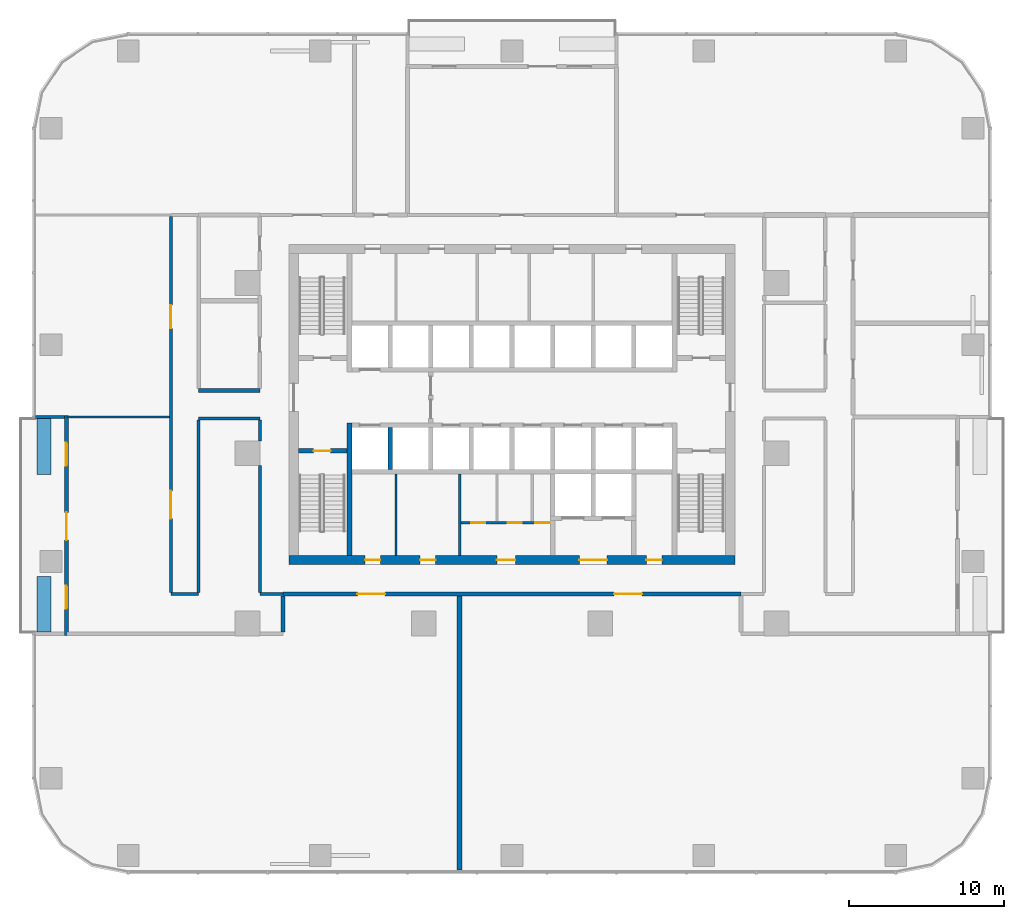
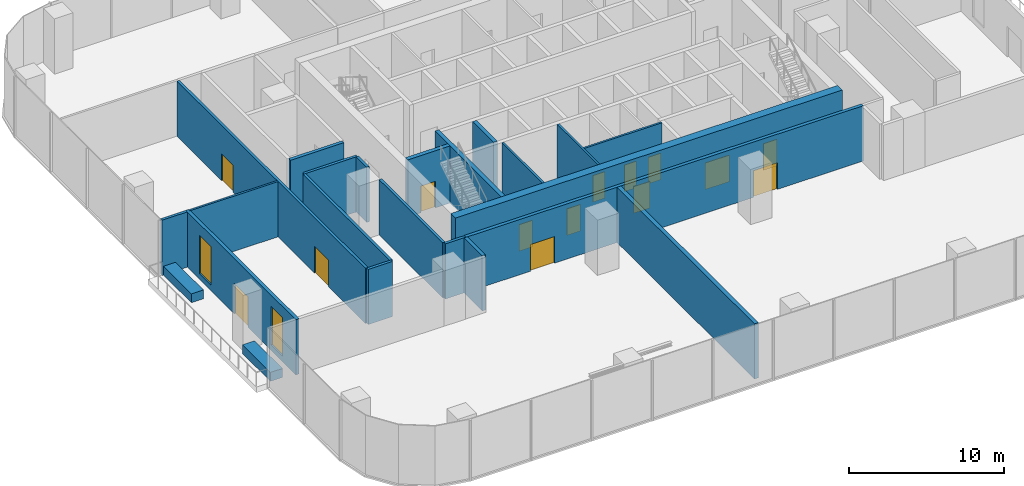
# One storey, part 7 of 14: 23 walls, 14 doors, 2 windows, 16 openings.
"""IFC4 building model written with IfcOpenShell, lengths in metres."""

from ifc_helpers import new_model, si_unit, direction, frame, frame_2d, origin, place, context, subcontext, project, spatial, rectangle, extrude, material, layer, layer_set, type_object, element, fill, save


model = new_model("IFC4")

# Units and contexts
model_context = context("Model", 3, precision=1e-05, world=origin(), true_north=direction((0.0, 1.0)))
body_context = subcontext(model_context, "Body", "Model", "MODEL_VIEW")
ifc_project = project(units=[si_unit("LENGTHUNIT", "METRE"), si_unit("AREAUNIT", "SQUARE_METRE"), si_unit("VOLUMEUNIT", "CUBIC_METRE"), si_unit("PLANEANGLEUNIT", "RADIAN"), si_unit("MASSUNIT", "GRAM", prefix="KILO")], contexts=[model_context])

# Site, building, storey
site_placement = place(None, origin())
site = spatial("IfcSite", under=ifc_project, at=site_placement, CompositionType="ELEMENT")
building_placement = place(site_placement, origin())
building = spatial("IfcBuilding", under=site, at=building_placement, Name="Mopane Tessera Tower", CompositionType="ELEMENT")
storey_placement = place(building_placement, frame((0.0, 0.0, 55.0)))
storey = spatial("IfcBuildingStorey", under=building, at=storey_placement, Name="L10", CompositionType="ELEMENT", Elevation=55.0)

# Walls
ifc_material_1 = material(Name="Fire-rated gypsum board partition")
ifc_layer_1 = layer(ifc_material_1, 0.14990234375)
ifc_layer_set_1 = layer_set([ifc_layer_1], Name="Fire-rated gypsum board partition")
wall_type_1 = type_object("IfcWallType", Name="Core room partition 150 mm", PredefinedType="PARTITIONING", material=ifc_layer_set_1)
for number, where, z_axis, x_axis, name in (
    (1, (-7.5, -6.60009765625, 0.0), (0.0, 0.0, 1.0), (0.0, 1.0, 0.0), "L10 Room partition"),
    (2, (-3.375, -6.60009765625, 0.0), (0.0, 0.0, 1.0), (0.0, 1.0, 0.0), "L10 Room partition"),
):
    element("IfcWall", number, at=place(storey_placement, frame(where, z_axis=z_axis, x_axis=x_axis)), inside=storey, type_object=wall_type_1, Name=name, PredefinedType="PARTITIONING", context=body_context, shape_type="SweptSolid", body=[
        extrude(rectangle(XDim=5.25, YDim=0.14990234375, at=frame_2d((2.625, 0.0))), origin(), (0.0, 0.0, 1.0), 4.5),
    ])

# Wall, openings, doors
wall_1_placement = place(storey_placement, frame((-3.300048828125, -4.5, 0.0), z_axis=(0.0, 0.0, 1.0), x_axis=(1.0, 0.0, 0.0)))
wall_1 = element("IfcWall", 3, at=wall_1_placement, inside=storey, type_object=wall_type_1, Name="L10 WC partition", PredefinedType="PARTITIONING", context=body_context, shape_type="SweptSolid", body=[
    extrude(rectangle(XDim=5.775146484375, YDim=0.14990234375, at=frame_2d((2.8876953125, 0.0))), origin(), (0.0, 0.0, 1.0), 4.5),
])
opening_1_placement = place(wall_1_placement, frame((0.675048828125, 0.0, 0.0)))
opening_1 = element("IfcOpeningElement", 4, at=opening_1_placement, cuts=wall_1, Name="Opening WD1", PredefinedType="OPENING", context=body_context, shape_type="SweptSolid", body=[
    extrude(rectangle(XDim=0.89990234375, YDim=2.10009765625, at=frame_2d((0.449951171875, 1.050048828125))), frame((0.0, 0.0869140625, 0.0), z_axis=(0.0, -1.0, 0.0), x_axis=(1.0, 0.0, 0.0)), (0.0, 0.0, 1.0), 0.173828125),
])
opening_2_placement = place(wall_1_placement, frame((3.014892578125, 0.0, 0.0)))
opening_2 = element("IfcOpeningElement", 5, at=opening_2_placement, cuts=wall_1, Name="Opening WD1", PredefinedType="OPENING", context=body_context, shape_type="SweptSolid", body=[
    extrude(rectangle(XDim=0.89990234375, YDim=2.10009765625, at=frame_2d((0.449951171875, 1.050048828125))), frame((0.0, 0.0869140625, 0.0), z_axis=(0.0, -1.0, 0.0), x_axis=(1.0, 0.0, 0.0)), (0.0, 0.0, 1.0), 0.173828125),
])
opening_3_placement = place(wall_1_placement, frame((4.7900390625, 0.0, 0.0)))
opening_3 = element("IfcOpeningElement", 6, at=opening_3_placement, cuts=wall_1, Name="Opening WD2", PredefinedType="OPENING", context=body_context, shape_type="SweptSolid", body=[
    extrude(rectangle(XDim=0.949951171875, YDim=2.10009765625, at=frame_2d((0.47509765625, 1.050048828125))), frame((0.0, 0.0869140625, 0.0), z_axis=(0.0, -1.0, 0.0), x_axis=(1.0, 0.0, 0.0)), (0.0, 0.0, 1.0), 0.173828125),
])
ifc_material_2 = material(Name="Timber door", Category="wood")
door_type_1 = type_object("IfcDoorType", Name="Accessible WC door 950 x 2100", OperationType="SINGLE_SWING_LEFT", PredefinedType="DOOR", material=ifc_material_2)
door_1_placement = place(opening_3_placement, origin())
door_1 = element("IfcDoor", 7, at=door_1_placement, inside=storey, type_object=door_type_1, Name="L10 Accessible WC door", OperationType="SINGLE_SWING_LEFT", OverallHeight=2.10009765625, OverallWidth=0.949951171875, PredefinedType="DOOR", context=body_context, shape_type="SweptSolid", body=[
    extrude(rectangle(XDim=0.949951171875, YDim=2.10009765625, at=frame_2d((0.47509765625, 1.050048828125))), frame((0.0, 0.02490234375, 0.0), z_axis=(0.0, -1.0, 0.0), x_axis=(1.0, 0.0, 0.0)), (0.0, 0.0, 1.0), 0.050048828125),
])
fill(opening_3, door_1)
ifc_material_3 = material(Name="Timber door", Category="wood")
door_type_2 = type_object("IfcDoorType", Name="WC cubicle door 900 x 2100", OperationType="SINGLE_SWING_LEFT", PredefinedType="DOOR", material=ifc_material_3)
door_2_placement = place(opening_1_placement, origin())
door_2 = element("IfcDoor", 8, at=door_2_placement, inside=storey, type_object=door_type_2, Name="L10 Men's WC door", OperationType="SINGLE_SWING_LEFT", OverallHeight=2.10009765625, OverallWidth=0.89990234375, PredefinedType="DOOR", context=body_context, shape_type="SweptSolid", body=[
    extrude(rectangle(XDim=0.89990234375, YDim=2.10009765625, at=frame_2d((0.449951171875, 1.050048828125))), frame((0.0, 0.02490234375, 0.0), z_axis=(0.0, -1.0, 0.0), x_axis=(1.0, 0.0, 0.0)), (0.0, 0.0, 1.0), 0.050048828125),
])
fill(opening_1, door_2)
door_3_placement = place(opening_2_placement, origin())
door_3 = element("IfcDoor", 9, at=door_3_placement, inside=storey, type_object=door_type_2, Name="L10 Women's WC door", OperationType="SINGLE_SWING_LEFT", OverallHeight=2.10009765625, OverallWidth=0.89990234375, PredefinedType="DOOR", context=body_context, shape_type="SweptSolid", body=[
    extrude(rectangle(XDim=0.89990234375, YDim=2.10009765625, at=frame_2d((0.449951171875, 1.050048828125))), frame((0.0, 0.02490234375, 0.0), z_axis=(0.0, -1.0, 0.0), x_axis=(1.0, 0.0, 0.0)), (0.0, 0.0, 1.0), 0.050048828125),
])
fill(opening_2, door_3)

ifc_material_4 = material(Name="Concrete C70/85", Category="concrete")
ifc_layer_2 = layer(ifc_material_4, 0.60009765625)
ifc_layer_set_2 = layer_set([ifc_layer_2], Name="Concrete C70/85")
wall_type_2 = type_object("IfcWallType", Name="Core shear wall 600 mm", PredefinedType="SHEAR", material=ifc_layer_set_2)
wall_2_placement = place(storey_placement, frame((-14.39990234375, -6.89990234375, 0.0), z_axis=(0.0, 0.0, 1.0), x_axis=(1.0, 0.0, 0.0)))
wall_2 = element("IfcWall", 10, at=wall_2_placement, inside=storey, type_object=wall_type_2, Name="L10 Core wall south", PredefinedType="SHEAR", context=body_context, shape_type="SweptSolid", body=[
    extrude(rectangle(XDim=28.7998046875, YDim=0.60009765625, at=frame_2d((14.39990234375, 0.0))), origin(), (0.0, 0.0, 1.0), 4.5),
])
opening_4_placement = place(wall_2_placement, frame((4.89990234375, 0.0, 0.0)))
opening_4 = element("IfcOpeningElement", 11, at=opening_4_placement, cuts=wall_2, Name="Opening RD1", PredefinedType="OPENING", context=body_context, shape_type="SweptSolid", body=[
    extrude(rectangle(XDim=1.0, YDim=2.10009765625, at=frame_2d((0.5, 1.050048828125))), frame((0.0, 0.31201171875, 0.0), z_axis=(0.0, -1.0, 0.0), x_axis=(1.0, 0.0, 0.0)), (0.0, 0.0, 1.0), 0.6240234375),
])
opening_5_placement = place(wall_2_placement, frame((8.46240234375, 0.0, 0.0)))
opening_5 = element("IfcOpeningElement", 12, at=opening_5_placement, cuts=wall_2, Name="Opening RD1", PredefinedType="OPENING", context=body_context, shape_type="SweptSolid", body=[
    extrude(rectangle(XDim=1.0, YDim=2.10009765625, at=frame_2d((0.5, 1.050048828125))), frame((0.0, 0.31201171875, 0.0), z_axis=(0.0, -1.0, 0.0), x_axis=(1.0, 0.0, 0.0)), (0.0, 0.0, 1.0), 0.6240234375),
])
opening_6_placement = place(wall_2_placement, frame((13.425048828125, 0.0, 0.0)))
opening_6 = element("IfcOpeningElement", 13, at=opening_6_placement, cuts=wall_2, Name="Opening WD3", PredefinedType="OPENING", context=body_context, shape_type="SweptSolid", body=[
    extrude(rectangle(XDim=1.199951171875, YDim=2.10009765625, at=frame_2d((0.60009765625, 1.050048828125))), frame((0.0, 0.31201171875, 0.0), z_axis=(0.0, -1.0, 0.0), x_axis=(1.0, 0.0, 0.0)), (0.0, 0.0, 1.0), 0.6240234375),
])
opening_7_placement = place(wall_2_placement, frame((18.75, 0.0, 0.0)))
opening_7 = element("IfcOpeningElement", 14, at=opening_7_placement, cuts=wall_2, Name="Opening SD2", PredefinedType="OPENING", context=body_context, shape_type="SweptSolid", body=[
    extrude(rectangle(XDim=1.800048828125, YDim=2.10009765625, at=frame_2d((0.89990234375, 1.050048828125))), frame((0.0, 0.31201171875, 0.0), z_axis=(0.0, -1.0, 0.0), x_axis=(1.0, 0.0, 0.0)), (0.0, 0.0, 1.0), 0.6240234375),
])
opening_8_placement = place(wall_2_placement, frame((23.08740234375, 0.0, 0.0)))
opening_8 = element("IfcOpeningElement", 15, at=opening_8_placement, cuts=wall_2, Name="Opening RD1", PredefinedType="OPENING", context=body_context, shape_type="SweptSolid", body=[
    extrude(rectangle(XDim=1.0, YDim=2.10009765625, at=frame_2d((0.5, 1.050048828125))), frame((0.0, 0.31201171875, 0.0), z_axis=(0.0, -1.0, 0.0), x_axis=(1.0, 0.0, 0.0)), (0.0, 0.0, 1.0), 0.6240234375),
])
ifc_material_5 = material(Name="Steel fire door", Category="steel")
door_type_3 = type_object("IfcDoorType", Name="Core entrance double door 1800 x 2100", OperationType="DOUBLE_DOOR_SINGLE_SWING", PredefinedType="DOOR", material=ifc_material_5)
door_4_placement = place(opening_7_placement, origin())
door_4 = element("IfcDoor", 16, at=door_4_placement, inside=storey, type_object=door_type_3, Name="L10 Service lobby door", OperationType="DOUBLE_DOOR_SINGLE_SWING", OverallHeight=2.10009765625, OverallWidth=1.800048828125, PredefinedType="DOOR", context=body_context, shape_type="SweptSolid", body=[
    extrude(rectangle(XDim=1.800048828125, YDim=2.10009765625, at=frame_2d((0.89990234375, 1.050048828125))), frame((0.0, 0.02490234375, 0.0), z_axis=(0.0, -1.0, 0.0), x_axis=(1.0, 0.0, 0.0)), (0.0, 0.0, 1.0), 0.050048828125),
])
fill(opening_7, door_4)
ifc_material_6 = material(Name="Timber door", Category="wood")
door_type_4 = type_object("IfcDoorType", Name="Core room door 1000 x 2100", OperationType="SINGLE_SWING_LEFT", PredefinedType="DOOR", material=ifc_material_6)
door_5_placement = place(opening_4_placement, origin())
door_5 = element("IfcDoor", 17, at=door_5_placement, inside=storey, type_object=door_type_4, Name="L10 Room door", OperationType="SINGLE_SWING_LEFT", OverallHeight=2.10009765625, OverallWidth=1.0, PredefinedType="DOOR", context=body_context, shape_type="SweptSolid", body=[
    extrude(rectangle(XDim=1.0, YDim=2.10009765625, at=frame_2d((0.5, 1.050048828125))), frame((0.0, 0.02490234375, 0.0), z_axis=(0.0, -1.0, 0.0), x_axis=(1.0, 0.0, 0.0)), (0.0, 0.0, 1.0), 0.050048828125),
])
fill(opening_4, door_5)
door_6_placement = place(opening_5_placement, origin())
door_6 = element("IfcDoor", 18, at=door_6_placement, inside=storey, type_object=door_type_4, Name="L10 Room door", OperationType="SINGLE_SWING_LEFT", OverallHeight=2.10009765625, OverallWidth=1.0, PredefinedType="DOOR", context=body_context, shape_type="SweptSolid", body=[
    extrude(rectangle(XDim=1.0, YDim=2.10009765625, at=frame_2d((0.5, 1.050048828125))), frame((0.0, 0.02490234375, 0.0), z_axis=(0.0, -1.0, 0.0), x_axis=(1.0, 0.0, 0.0)), (0.0, 0.0, 1.0), 0.050048828125),
])
fill(opening_5, door_6)
door_7_placement = place(opening_8_placement, origin())
door_7 = element("IfcDoor", 19, at=door_7_placement, inside=storey, type_object=door_type_4, Name="L10 Room door", OperationType="SINGLE_SWING_LEFT", OverallHeight=2.10009765625, OverallWidth=1.0, PredefinedType="DOOR", context=body_context, shape_type="SweptSolid", body=[
    extrude(rectangle(XDim=1.0, YDim=2.10009765625, at=frame_2d((0.5, 1.050048828125))), frame((0.0, 0.02490234375, 0.0), z_axis=(0.0, -1.0, 0.0), x_axis=(1.0, 0.0, 0.0)), (0.0, 0.0, 1.0), 0.050048828125),
])
fill(opening_8, door_7)
ifc_material_7 = material(Name="Timber door", Category="wood")
door_type_5 = type_object("IfcDoorType", Name="WC lobby door 1200 x 2100", OperationType="SINGLE_SWING_LEFT", PredefinedType="DOOR", material=ifc_material_7)
door_8_placement = place(opening_6_placement, origin())
door_8 = element("IfcDoor", 20, at=door_8_placement, inside=storey, type_object=door_type_5, Name="L10 WC lobby door", OperationType="SINGLE_SWING_LEFT", OverallHeight=2.10009765625, OverallWidth=1.199951171875, PredefinedType="DOOR", context=body_context, shape_type="SweptSolid", body=[
    extrude(rectangle(XDim=1.199951171875, YDim=2.10009765625, at=frame_2d((0.60009765625, 1.050048828125))), frame((0.0, 0.02490234375, 0.0), z_axis=(0.0, -1.0, 0.0), x_axis=(1.0, 0.0, 0.0)), (0.0, 0.0, 1.0), 0.050048828125),
])
fill(opening_6, door_8)

# Walls
ifc_material_8 = material(Name="Concrete C60/75", Category="concrete")
ifc_layer_3 = layer(ifc_material_8, 0.300048828125)
ifc_layer_set_3 = layer_set([ifc_layer_3], Name="Concrete C60/75")
wall_type_3 = type_object("IfcWallType", Name="Core spine wall 300 mm", PredefinedType="SHEAR", material=ifc_layer_set_3)
wall_3_placement = place(storey_placement, frame((-10.5, -6.60009765625, 0.0), z_axis=(0.0, 0.0, 1.0), x_axis=(0.0, 1.0, 0.0)))
element("IfcWall", 21, at=wall_3_placement, inside=storey, type_object=wall_type_3, Name="L10 Core spine wall", PredefinedType="SHEAR", context=body_context, shape_type="SweptSolid", body=[
    extrude(rectangle(XDim=8.550048828125, YDim=0.300048828125, at=frame_2d((4.27490234375, 0.0))), origin(), (0.0, 0.0, 1.0), 4.5),
])
ifc_material_9 = material(Name="Gypsum board on steel studs, two layers each face, mineral wool infill", Category="steel")
ifc_layer_4 = layer(ifc_material_9, 0.199951171875)
ifc_layer_set_4 = layer_set([ifc_layer_4], Name="Gypsum board on steel studs, two layers each face, mineral wool infill")
wall_type_4 = type_object("IfcWallType", Name="Gypsum board corridor wall 200, rated EI 60", PredefinedType="PARTITIONING", material=ifc_layer_set_4)
wall_4_placement = place(storey_placement, frame((-22.050048828125, -9.10009765625, 0.0), z_axis=(0.0, 0.0, 1.0), x_axis=(1.0, 0.0, 0.0)))
element("IfcWall", 22, at=wall_4_placement, inside=storey, type_object=wall_type_4, Name="Partition L10:004", PredefinedType="PARTITIONING", context=body_context, shape_type="SweptSolid", body=[
    extrude(rectangle(XDim=1.800048828125, YDim=0.199951171875, at=frame_2d((0.89990234375, 0.0))), origin(), (0.0, 0.0, 1.0), 4.35009765625),
])
wall_5_placement = place(storey_placement, frame((-16.300048828125, -9.10009765625, 0.0), z_axis=(0.0, 0.0, 1.0), x_axis=(1.0, 0.0, 0.0)))
element("IfcWall", 23, at=wall_5_placement, inside=storey, type_object=wall_type_4, Name="Partition L10:005", PredefinedType="PARTITIONING", context=body_context, shape_type="SweptSolid", body=[
    extrude(rectangle(XDim=1.5, YDim=0.199951171875, at=frame_2d((0.75, 0.0))), origin(), (0.0, 0.0, 1.0), 4.35009765625),
])
wall_6_placement = place(storey_placement, frame((-20.25, 2.25, 0.0), z_axis=(0.0, 0.0, 1.0), x_axis=(1.0, 0.0, 0.0)))
element("IfcWall", 24, at=wall_6_placement, inside=storey, type_object=wall_type_4, Name="Partition L10:009", PredefinedType="PARTITIONING", context=body_context, shape_type="SweptSolid", body=[
    extrude(rectangle(XDim=3.949951171875, YDim=0.199951171875, at=frame_2d((1.97509765625, 0.0))), origin(), (0.0, 0.0, 1.0), 4.35009765625),
])

# Wall, openings, doors
wall_7_placement = place(storey_placement, frame((-22.050048828125, -9.0, 0.0), z_axis=(0.0, 0.0, 1.0), x_axis=(0.0, 1.0, 0.0)))
wall_7 = element("IfcWall", 25, at=wall_7_placement, inside=storey, type_object=wall_type_4, Name="Partition L10:028", PredefinedType="PARTITIONING", context=body_context, shape_type="SweptSolid", body=[
    extrude(rectangle(XDim=24.300048828125, YDim=0.199951171875, at=frame_2d((12.14990234375, 0.0))), origin(), (0.0, 0.0, 1.0), 4.35009765625),
])
opening_9_placement = place(wall_7_placement, frame((17.0673828125, 0.0, 0.0)))
opening_9 = element("IfcOpeningElement", 26, at=opening_9_placement, cuts=wall_7, Name="Opening L10-04", PredefinedType="OPENING", context=body_context, shape_type="SweptSolid", body=[
    extrude(rectangle(XDim=1.5, YDim=2.10009765625, at=frame_2d((0.75, 1.050048828125))), frame((0.0, 0.112060546875, 0.0), z_axis=(0.0, -1.0, 0.0), x_axis=(1.0, 0.0, 0.0)), (0.0, 0.0, 1.0), 0.223876953125),
])
opening_10_placement = place(wall_7_placement, frame((4.767578125, 0.0, 0.0)))
opening_10 = element("IfcOpeningElement", 27, at=opening_10_placement, cuts=wall_7, Name="Opening L10-13", PredefinedType="OPENING", context=body_context, shape_type="SweptSolid", body=[
    extrude(rectangle(XDim=1.800048828125, YDim=2.10009765625, at=frame_2d((0.89990234375, 1.050048828125))), frame((0.0, 0.112060546875, 0.0), z_axis=(0.0, -1.0, 0.0), x_axis=(1.0, 0.0, 0.0)), (0.0, 0.0, 1.0), 0.223876953125),
])
ifc_material_10 = material(Name="Timber veneered steel-framed fire door", Category="steel")
door_type_6 = type_object("IfcDoorType", Name="Fire door pair FD60 1500 x 2100", OperationType="DOUBLE_DOOR_SINGLE_SWING", PredefinedType="DOOR", material=ifc_material_10)
door_9_placement = place(opening_9_placement, origin())
door_9 = element("IfcDoor", 28, at=door_9_placement, inside=storey, type_object=door_type_6, Name="Door L10-04", ObjectType="D17A", OperationType="DOUBLE_DOOR_SINGLE_SWING", OverallHeight=2.10009765625, OverallWidth=1.5, PredefinedType="DOOR", context=body_context, shape_type="SweptSolid", body=[
    extrude(rectangle(XDim=1.5, YDim=2.10009765625, at=frame_2d((0.75, 1.050048828125))), frame((0.0, 0.02490234375, 0.0), z_axis=(0.0, -1.0, 0.0), x_axis=(1.0, 0.0, 0.0)), (0.0, 0.0, 1.0), 0.050048828125),
])
fill(opening_9, door_9)
ifc_material_11 = material(Name="Timber veneered steel-framed fire door", Category="steel")
door_type_7 = type_object("IfcDoorType", Name="Fire door pair FD60 1800 x 2100", OperationType="DOUBLE_DOOR_SINGLE_SWING", PredefinedType="DOOR", material=ifc_material_11)
door_10_placement = place(opening_10_placement, origin())
door_10 = element("IfcDoor", 29, at=door_10_placement, inside=storey, type_object=door_type_7, Name="Door L10-13", ObjectType="D20A", OperationType="DOUBLE_DOOR_SINGLE_SWING", OverallHeight=2.10009765625, OverallWidth=1.800048828125, PredefinedType="DOOR", context=body_context, shape_type="SweptSolid", body=[
    extrude(rectangle(XDim=1.800048828125, YDim=2.10009765625, at=frame_2d((0.89990234375, 1.050048828125))), frame((0.0, 0.02490234375, 0.0), z_axis=(0.0, -1.0, 0.0), x_axis=(1.0, 0.0, 0.0)), (0.0, 0.0, 1.0), 0.050048828125),
])
fill(opening_10, door_10)

# Walls
wall_8_placement = place(storey_placement, frame((-20.25, -9.0, 0.0), z_axis=(0.0, 0.0, 1.0), x_axis=(0.0, 1.0, 0.0)))
element("IfcWall", 30, at=wall_8_placement, inside=storey, type_object=wall_type_4, Name="Partition L10:029", PredefinedType="PARTITIONING", context=body_context, shape_type="SweptSolid", body=[
    extrude(rectangle(XDim=11.14990234375, YDim=0.199951171875, at=frame_2d((5.574951171875, 0.0))), origin(), (0.0, 0.0, 1.0), 4.35009765625),
])
wall_9_placement = place(storey_placement, frame((-16.300048828125, -9.0, 0.0), z_axis=(0.0, 0.0, 1.0), x_axis=(0.0, 1.0, 0.0)))
element("IfcWall", 31, at=wall_9_placement, inside=storey, type_object=wall_type_4, Name="Partition L10:031", PredefinedType="PARTITIONING", context=body_context, shape_type="SweptSolid", body=[
    extrude(rectangle(XDim=8.199951171875, YDim=0.199951171875, at=frame_2d((4.10009765625, 0.0))), origin(), (0.0, 0.0, 1.0), 4.35009765625),
])
wall_10_placement = place(storey_placement, frame((-16.300048828125, 0.800048828125, 0.0), z_axis=(0.0, 0.0, 1.0), x_axis=(0.0, 1.0, 0.0)))
element("IfcWall", 32, at=wall_10_placement, inside=storey, type_object=wall_type_4, Name="Partition L10:032", PredefinedType="PARTITIONING", context=body_context, shape_type="SweptSolid", body=[
    extrude(rectangle(XDim=1.349853515625, YDim=0.199951171875, at=frame_2d((0.6748046875, 0.0))), origin(), (0.0, 0.0, 1.0), 4.35009765625),
])
ifc_material_12 = material(Name="Gypsum board on steel studs, mineral wool infill", Category="steel")
ifc_layer_5 = layer(ifc_material_12, 0.14990234375)
ifc_layer_set_5 = layer_set([ifc_layer_5], Name="Gypsum board on steel studs, mineral wool infill")
wall_type_5 = type_object("IfcWallType", Name="Gypsum board partition 150, rated EI 60", PredefinedType="PARTITIONING", material=ifc_layer_set_5)
wall_11_placement = place(storey_placement, frame((-28.75, 2.3349609375, 0.0), z_axis=(0.0, 0.0, 1.0), x_axis=(1.0, 0.0, 0.0)))
element("IfcWall", 33, at=wall_11_placement, inside=storey, type_object=wall_type_5, Name="Partition L10:011", PredefinedType="PARTITIONING", context=body_context, shape_type="SweptSolid", body=[
    extrude(rectangle(XDim=6.60009765625, YDim=0.14990234375, at=frame_2d((3.300048828125, 0.0))), origin(), (0.0, 0.0, 1.0), 4.35009765625),
])

# Wall, opening, door
ifc_material_13 = material(Name="Concrete C50/60", Category="concrete")
ifc_layer_6 = layer(ifc_material_13, 0.300048828125)
ifc_layer_set_6 = layer_set([ifc_layer_6], Name="Concrete C50/60")
wall_type_6 = type_object("IfcWallType", Name="Lift and stair shaft wall 300 mm", PredefinedType="SOLIDWALL", material=ifc_layer_set_6)
wall_12_placement = place(storey_placement, frame((-13.800048828125, 0.14990234375, 0.0), z_axis=(0.0, 0.0, 1.0), x_axis=(1.0, 0.0, 0.0)))
wall_12 = element("IfcWall", 34, at=wall_12_placement, inside=storey, type_object=wall_type_6, Name="L10 Stair enclosure wall", PredefinedType="SOLIDWALL", context=body_context, shape_type="SweptSolid", body=[
    extrude(rectangle(XDim=3.150146484375, YDim=0.300048828125, at=frame_2d((1.5751953125, 0.0))), origin(), (0.0, 0.0, 1.0), 4.5),
])
opening_11_placement = place(wall_12_placement, frame((0.97509765625, 0.0, 0.0)))
opening_11 = element("IfcOpeningElement", 35, at=opening_11_placement, cuts=wall_12, Name="Opening SD1", PredefinedType="OPENING", context=body_context, shape_type="SweptSolid", body=[
    extrude(rectangle(XDim=1.10009765625, YDim=2.10009765625, at=frame_2d((0.550048828125, 1.050048828125))), frame((0.0, 0.162109375, 0.0), z_axis=(0.0, -1.0, 0.0), x_axis=(1.0, 0.0, 0.0)), (0.0, 0.0, 1.0), 0.323974609375),
])
ifc_material_14 = material(Name="Steel fire door", Category="steel")
door_type_8 = type_object("IfcDoorType", Name="Stair fire door 1100 x 2100", OperationType="SINGLE_SWING_LEFT", PredefinedType="DOOR", material=ifc_material_14)
door_11_placement = place(opening_11_placement, origin())
door_11 = element("IfcDoor", 36, at=door_11_placement, inside=storey, type_object=door_type_8, Name="L10 Stair door ST1", OperationType="SINGLE_SWING_LEFT", OverallHeight=2.10009765625, OverallWidth=1.10009765625, PredefinedType="DOOR", context=body_context, shape_type="SweptSolid", body=[
    extrude(rectangle(XDim=1.10009765625, YDim=2.10009765625, at=frame_2d((0.550048828125, 1.050048828125))), frame((0.0, 0.02490234375, 0.0), z_axis=(0.0, -1.0, 0.0), x_axis=(1.0, 0.0, 0.0)), (0.0, 0.0, 1.0), 0.050048828125),
])
fill(opening_11, door_11)

# Walls
wall_13_placement = place(storey_placement, frame((-7.875, -1.050048828125, 0.0), z_axis=(0.0, 0.0, 1.0), x_axis=(0.0, 1.0, 0.0)))
element("IfcWall", 37, at=wall_13_placement, inside=storey, type_object=wall_type_6, Name="L10 Lift shaft wall", PredefinedType="SOLIDWALL", context=body_context, shape_type="SweptSolid", body=[
    extrude(rectangle(XDim=2.699951171875, YDim=0.300048828125, at=frame_2d((1.35009765625, 0.0))), origin(), (0.0, 0.0, 1.0), 4.5),
])
ifc_material_15 = material(Name="Reinforced concrete C32/40 with waterproofing", Category="concrete")
ifc_layer_7 = layer(ifc_material_15, 0.89990234375)
ifc_layer_set_7 = layer_set([ifc_layer_7], Name="Reinforced concrete C32/40 with waterproofing")
wall_type_7 = type_object("IfcWallType", Name="Planter trough 3600 x 900", PredefinedType="STANDARD", material=ifc_layer_set_7)
for number, where, z_axis, x_axis, name in (
    (38, (-30.25, 2.2333984375, 0.0), (0.0, 0.0, 1.0), (0.0, -1.0, 0.0), "e:nw:L10:N3:pl0"),
    (39, (-30.25, -7.966552734375, 0.0), (0.0, 0.0, 1.0), (0.0, -1.0, 0.0), "e:nw:L10:N3:pl1"),
):
    element("IfcWall", number, at=place(storey_placement, frame(where, z_axis=z_axis, x_axis=x_axis)), inside=storey, type_object=wall_type_7, Name=name, PredefinedType="STANDARD", context=body_context, shape_type="SweptSolid", body=[
        extrude(rectangle(XDim=3.60009765625, YDim=0.89990234375, at=frame_2d((1.800048828125, 0.0))), origin(), (0.0, 0.0, 1.0), 0.699951171875),
    ])
ifc_material_16 = material(Name="Plastered concrete blockwork C20/25", Category="masonry")
ifc_layer_8 = layer(ifc_material_16, 0.300048828125)
ifc_layer_set_8 = layer_set([ifc_layer_8], Name="Plastered concrete blockwork C20/25")
wall_type_8 = type_object("IfcWallType", Name="Plastered blockwork separation wall 300, rated EI 120", PredefinedType="PARTITIONING", material=ifc_layer_set_8)
wall_14_placement = place(storey_placement, frame((-3.39501953125, -26.949951171875, 0.0), z_axis=(0.0, 0.0, 1.0), x_axis=(0.0, 1.0, 0.0)))
element("IfcWall", 40, at=wall_14_placement, inside=storey, type_object=wall_type_8, Name="Partition L10:038", PredefinedType="PARTITIONING", context=body_context, shape_type="SweptSolid", body=[
    extrude(rectangle(XDim=17.724853515625, YDim=0.300048828125, at=frame_2d((8.8623046875, 0.0))), origin(), (0.0, 0.0, 1.0), 4.35009765625),
])

# Wall, openings, doors
ifc_material_17 = material(Name="Plastered concrete blockwork C20/25", Category="masonry")
ifc_layer_9 = layer(ifc_material_17, 0.25)
ifc_layer_set_9 = layer_set([ifc_layer_9], Name="Plastered concrete blockwork C20/25")
wall_type_9 = type_object("IfcWallType", Name="Plastered blockwork wall 250, rated EI 120", PredefinedType="PARTITIONING", material=ifc_layer_set_9)
wall_15_placement = place(storey_placement, frame((-14.800048828125, -9.10009765625, 0.0), z_axis=(0.0, 0.0, 1.0), x_axis=(1.0, 0.0, 0.0)))
wall_15 = element("IfcWall", 41, at=wall_15_placement, inside=storey, type_object=wall_type_9, Name="Partition L10:008", PredefinedType="PARTITIONING", context=body_context, shape_type="SweptSolid", body=[
    extrude(rectangle(XDim=29.60009765625, YDim=0.25, at=frame_2d((14.800048828125, 0.0))), origin(), (0.0, 0.0, 1.0), 4.35009765625),
])
opening_12_placement = place(wall_15_placement, frame((4.802490234375, 0.0, 0.0)))
opening_12 = element("IfcOpeningElement", 42, at=opening_12_placement, cuts=wall_15, Name="Opening L10-05", PredefinedType="OPENING", context=body_context, shape_type="SweptSolid", body=[
    extrude(rectangle(XDim=1.800048828125, YDim=2.10009765625, at=frame_2d((0.89990234375, 1.050048828125))), frame((0.0, 0.136962890625, 0.0), z_axis=(0.0, -1.0, 0.0), x_axis=(1.0, 0.0, 0.0)), (0.0, 0.0, 1.0), 0.27392578125),
])
opening_13_placement = place(wall_15_placement, frame((21.402587890625, 0.0, 0.0)))
opening_13 = element("IfcOpeningElement", 43, at=opening_13_placement, cuts=wall_15, Name="Opening L10-07", PredefinedType="OPENING", context=body_context, shape_type="SweptSolid", body=[
    extrude(rectangle(XDim=1.800048828125, YDim=2.10009765625, at=frame_2d((0.89990234375, 1.050048828125))), frame((0.0, 0.136962890625, 0.0), z_axis=(0.0, -1.0, 0.0), x_axis=(1.0, 0.0, 0.0)), (0.0, 0.0, 1.0), 0.27392578125),
])
ifc_material_18 = material(Name="Timber veneered steel-framed fire door", Category="steel")
door_type_9 = type_object("IfcDoorType", Name="Fire door pair FD120 1800 x 2100", OperationType="DOUBLE_DOOR_SINGLE_SWING", PredefinedType="DOOR", material=ifc_material_18)
door_12_placement = place(opening_12_placement, origin())
door_12 = element("IfcDoor", 44, at=door_12_placement, inside=storey, type_object=door_type_9, Name="Door L10-05", ObjectType="D20B", OperationType="DOUBLE_DOOR_SINGLE_SWING", OverallHeight=2.10009765625, OverallWidth=1.800048828125, PredefinedType="DOOR", context=body_context, shape_type="SweptSolid", body=[
    extrude(rectangle(XDim=1.800048828125, YDim=2.10009765625, at=frame_2d((0.89990234375, 1.050048828125))), frame((0.0, 0.02490234375, 0.0), z_axis=(0.0, -1.0, 0.0), x_axis=(1.0, 0.0, 0.0)), (0.0, 0.0, 1.0), 0.050048828125),
])
fill(opening_12, door_12)
door_13_placement = place(opening_13_placement, origin())
door_13 = element("IfcDoor", 45, at=door_13_placement, inside=storey, type_object=door_type_9, Name="Door L10-07", ObjectType="D20B", OperationType="DOUBLE_DOOR_SINGLE_SWING", OverallHeight=2.10009765625, OverallWidth=1.800048828125, PredefinedType="DOOR", context=body_context, shape_type="SweptSolid", body=[
    extrude(rectangle(XDim=1.800048828125, YDim=2.10009765625, at=frame_2d((0.89990234375, 1.050048828125))), frame((0.0, 0.02490234375, 0.0), z_axis=(0.0, -1.0, 0.0), x_axis=(1.0, 0.0, 0.0)), (0.0, 0.0, 1.0), 0.050048828125),
])
fill(opening_13, door_13)

# Walls
wall_16_placement = place(storey_placement, frame((-20.25, 4.050048828125, 0.0), z_axis=(0.0, 0.0, 1.0), x_axis=(1.0, 0.0, 0.0)))
element("IfcWall", 46, at=wall_16_placement, inside=storey, type_object=wall_type_9, Name="Partition L10:014", PredefinedType="PARTITIONING", context=body_context, shape_type="SweptSolid", body=[
    extrude(rectangle(XDim=3.949951171875, YDim=0.25, at=frame_2d((1.97509765625, 0.0))), origin(), (0.0, 0.0, 1.0), 4.35009765625),
])
wall_17_placement = place(storey_placement, frame((-14.800048828125, -11.5400390625, 0.0), z_axis=(0.0, 0.0, 1.0), x_axis=(0.0, 1.0, 0.0)))
element("IfcWall", 47, at=wall_17_placement, inside=storey, type_object=wall_type_9, Name="Partition L10:035", PredefinedType="PARTITIONING", context=body_context, shape_type="SweptSolid", body=[
    extrude(rectangle(XDim=2.31494140625, YDim=0.25, at=frame_2d((1.157470703125, 0.0))), origin(), (0.0, 0.0, 1.0), 4.35009765625),
])
ifc_material_19 = material(Name="Blockwork with glazed tile facing", Category="masonry")
ifc_layer_10 = layer(ifc_material_19, 0.199951171875)
ifc_layer_set_10 = layer_set([ifc_layer_10], Name="Blockwork with glazed tile facing")
wall_type_10 = type_object("IfcWallType", Name="Terrace cheek wall 200", PredefinedType="STANDARD", material=ifc_layer_set_10)
wall_18_placement = place(storey_placement, frame((-30.800048828125, 2.333251953125, 0.0), z_axis=(0.0, 0.0, 1.0), x_axis=(1.0, 0.0, 0.0)))
element("IfcWall", 48, at=wall_18_placement, inside=storey, type_object=wall_type_10, Name="e:nw:L10:N3:cheeka", PredefinedType="STANDARD", context=body_context, shape_type="SweptSolid", body=[
    extrude(rectangle(XDim=1.875, YDim=0.199951171875, at=frame_2d((0.9375, 0.0))), origin(), (0.0, 0.0, 1.0), 4.35009765625),
])

# Wall, openings, windows, door
ifc_material_20 = material(Name="Blockwork with ultramarine glazed tile facing", Category="masonry")
ifc_layer_11 = layer(ifc_material_20, 0.25)
ifc_layer_set_11 = layer_set([ifc_layer_11], Name="Blockwork with ultramarine glazed tile facing")
wall_type_11 = type_object("IfcWallType", Name="Tile-clad external wall 250, ultramarine", PredefinedType="STANDARD", material=ifc_layer_set_11)
wall_19_placement = place(storey_placement, frame((-28.800048828125, 2.433349609375, 0.0), z_axis=(0.0, 0.0, 1.0), x_axis=(0.0, -1.0, 0.0)))
wall_19 = element("IfcWall", 49, at=wall_19_placement, inside=storey, type_object=wall_type_11, Name="e:nw:L10:N3:back", PredefinedType="STANDARD", context=body_context, shape_type="SweptSolid", body=[
    extrude(rectangle(XDim=14.199951171875, YDim=0.25, at=frame_2d((7.10009765625, 0.0))), origin(), (0.0, 0.0, 1.0), 4.35009765625),
])
opening_14_placement = place(wall_19_placement, frame((1.75, 0.0, 0.449951171875)))
opening_14 = element("IfcOpeningElement", 50, at=opening_14_placement, cuts=wall_19, Name="Opening NW103A", PredefinedType="OPENING", context=body_context, shape_type="SweptSolid", body=[
    extrude(rectangle(XDim=1.5, YDim=3.0, at=frame_2d((0.75, 1.5))), frame((0.0, 0.136962890625, 0.0), z_axis=(0.0, -1.0, 0.0), x_axis=(1.0, 0.0, 0.0)), (0.0, 0.0, 1.0), 0.27392578125),
])
opening_15_placement = place(wall_19_placement, frame((6.25, 0.0, 0.0)))
opening_15 = element("IfcOpeningElement", 51, at=opening_15_placement, cuts=wall_19, Name="Opening ND103", PredefinedType="OPENING", context=body_context, shape_type="SweptSolid", body=[
    extrude(rectangle(XDim=1.800048828125, YDim=2.39990234375, at=frame_2d((0.89990234375, 1.199951171875))), frame((0.0, 0.136962890625, 0.0), z_axis=(0.0, -1.0, 0.0), x_axis=(1.0, 0.0, 0.0)), (0.0, 0.0, 1.0), 0.27392578125),
])
opening_16_placement = place(wall_19_placement, frame((11.0, 0.0, 0.449951171875)))
opening_16 = element("IfcOpeningElement", 52, at=opening_16_placement, cuts=wall_19, Name="Opening NW103B", PredefinedType="OPENING", context=body_context, shape_type="SweptSolid", body=[
    extrude(rectangle(XDim=1.5, YDim=3.0, at=frame_2d((0.75, 1.5))), frame((0.0, 0.136962890625, 0.0), z_axis=(0.0, -1.0, 0.0), x_axis=(1.0, 0.0, 0.0)), (0.0, 0.0, 1.0), 0.27392578125),
])
ifc_material_21 = material(Name="Clear laminated glass", Category="glass")
window_type = type_object("IfcWindowType", Name="Fixed window 1500 x 3000", PartitioningType="SINGLE_PANEL", PredefinedType="WINDOW", material=ifc_material_21)
window_1_placement = place(opening_14_placement, origin())
window_1 = element("IfcWindow", 53, at=window_1_placement, inside=storey, type_object=window_type, Name="e:nw:L10:N3:win0", OverallHeight=3.0, OverallWidth=1.5, PartitioningType="SINGLE_PANEL", PredefinedType="WINDOW", context=body_context, shape_type="SweptSolid", body=[
    extrude(rectangle(XDim=1.5, YDim=3.0, at=frame_2d((0.75, 1.5))), frame((0.0, 0.030029296875, 0.0), z_axis=(0.0, -1.0, 0.0), x_axis=(1.0, 0.0, 0.0)), (0.0, 0.0, 1.0), 0.06005859375),
])
fill(opening_14, window_1)
window_2_placement = place(opening_16_placement, origin())
window_2 = element("IfcWindow", 54, at=window_2_placement, inside=storey, type_object=window_type, Name="e:nw:L10:N3:win2", OverallHeight=3.0, OverallWidth=1.5, PartitioningType="SINGLE_PANEL", PredefinedType="WINDOW", context=body_context, shape_type="SweptSolid", body=[
    extrude(rectangle(XDim=1.5, YDim=3.0, at=frame_2d((0.75, 1.5))), frame((0.0, 0.030029296875, 0.0), z_axis=(0.0, -1.0, 0.0), x_axis=(1.0, 0.0, 0.0)), (0.0, 0.0, 1.0), 0.06005859375),
])
fill(opening_16, window_2)
ifc_material_22 = material(Name="Aluminium and clear glass", Category="aluminium")
door_type_10 = type_object("IfcDoorType", Name="Terrace double door 1800 x 2400", OperationType="DOUBLE_DOOR_SINGLE_SWING", PredefinedType="DOOR", material=ifc_material_22)
door_14_placement = place(opening_15_placement, origin())
door_14 = element("IfcDoor", 55, at=door_14_placement, inside=storey, type_object=door_type_10, Name="e:nw:L10:N3:door", ObjectType="D1", OperationType="DOUBLE_DOOR_SINGLE_SWING", OverallHeight=2.39990234375, OverallWidth=1.800048828125, PredefinedType="DOOR", context=body_context, shape_type="SweptSolid", body=[
    extrude(rectangle(XDim=1.800048828125, YDim=2.39990234375, at=frame_2d((0.89990234375, 1.199951171875))), frame((0.0, 0.02490234375, 0.0), z_axis=(0.0, -1.0, 0.0), x_axis=(1.0, 0.0, 0.0)), (0.0, 0.0, 1.0), 0.050048828125),
])
fill(opening_15, door_14)

save(model, "model.ifc")
